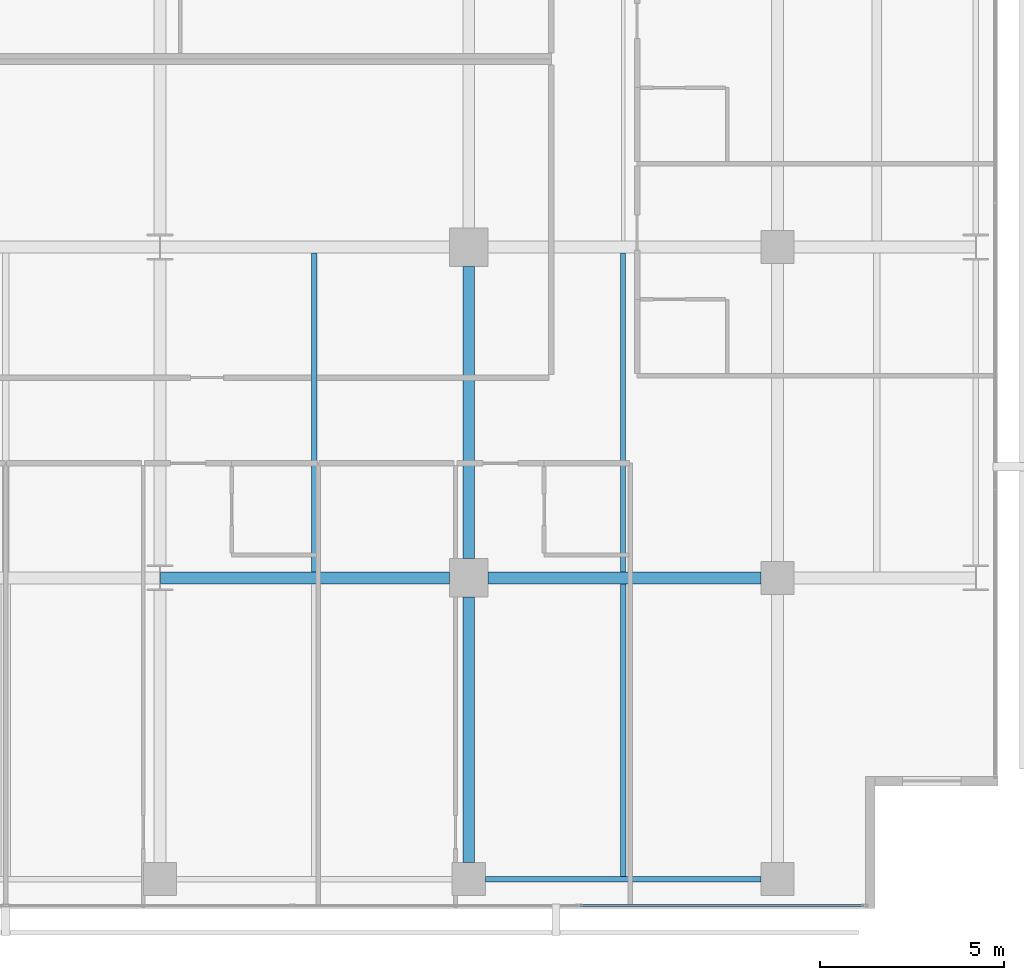
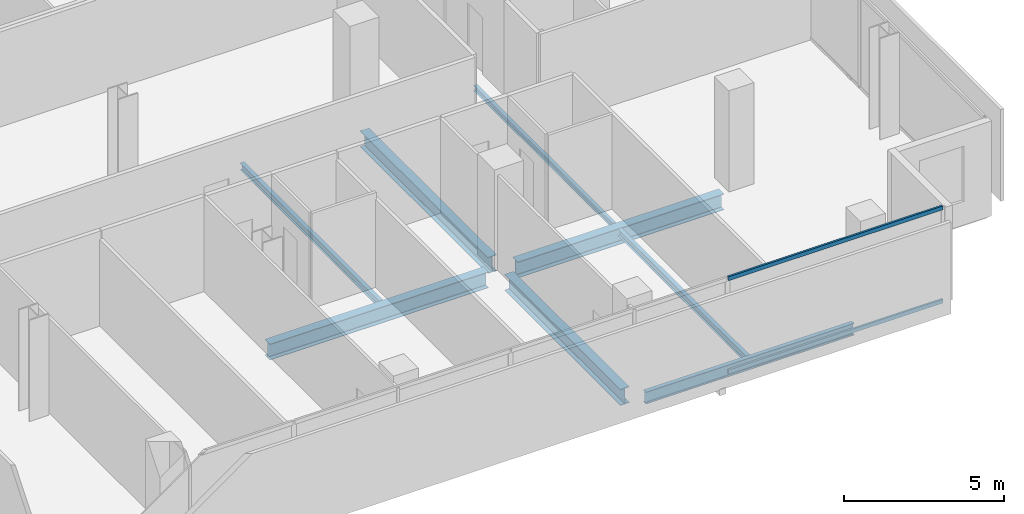
# One storey, part 15 of 40: 8 beams, 2 members, 1 element without a shape of its own.
"""IFC4 building model written with IfcOpenShell, lengths in metres."""

from ifc_helpers import new_model, si_unit, direction, frame, origin, origin_2d, place, context, subcontext, project, spatial, hollow_rectangle, i_section, extrude, material, layer, layer_set, material_profile, profile_set, type_object, element, aggregate, save


model = new_model("IFC4")

# Units and contexts
model_context = context("Model", 3, precision=1e-05, world=origin(), true_north=direction((0.0, 1.0)))
body_context = subcontext(model_context, "Body", "Model", "MODEL_VIEW")
ifc_project = project(units=[si_unit("LENGTHUNIT", "METRE"), si_unit("AREAUNIT", "SQUARE_METRE"), si_unit("VOLUMEUNIT", "CUBIC_METRE"), si_unit("PLANEANGLEUNIT", "RADIAN"), si_unit("MASSUNIT", "GRAM", prefix="KILO")], contexts=[model_context])

# Site, building, storey
site_placement = place(None, origin())
site = spatial("IfcSite", under=ifc_project, at=site_placement, CompositionType="ELEMENT")
building_placement = place(site_placement, origin())
building = spatial("IfcBuilding", under=site, at=building_placement, Name="Maruvema Waterfront Hotel and Observation Tower", CompositionType="ELEMENT")
storey_placement = place(building_placement, frame((0.0, 0.0, 88.550048828125)))
storey = spatial("IfcBuildingStorey", under=building, at=storey_placement, Name="L21", CompositionType="ELEMENT", Elevation=88.550048828125)

# Curtain wall, members
ifc_material_1 = material(Name="Anodised bronze aluminium and solar-control low-E IGU", Category="aluminium")
ifc_layer = layer(ifc_material_1, 0.159912109375, Name="Zone 1 Bronze Inner Thermal Curtain Wall System CW-02")
ifc_layer_set = layer_set([ifc_layer], Name="Anodised bronze aluminium and solar-control low-E IGU")
curtain_wall_type = type_object("IfcCurtainWallType", Name="Zone 1 Bronze Inner Thermal Curtain Wall System CW-02", PredefinedType="USERDEFINED", material=ifc_layer_set)
curtain_wall_placement = place(storey_placement, origin())
curtain_wall = element("IfcCurtainWall", 1, at=curtain_wall_placement, inside=storey, type_object=curtain_wall_type, Name="L21 Curtain Wall CW-L21-S", ObjectType="UNITISED CURTAIN WALL", PredefinedType="USERDEFINED")
ifc_material_2 = material(Name="Anodised architectural bronze aluminium", Category="aluminium")
ifc_material_profile_1 = material_profile(ifc_material_2, hollow_rectangle(XDim=0.070068359375, YDim=0.14990234375, WallThickness=0.00390625, at=origin_2d()), Name="ALU-T70x150")
ifc_profile_set_1 = profile_set([ifc_material_profile_1], Name="Anodised architectural bronze aluminium")
member_type = type_object("IfcMemberType", Name="Curtain Wall Horizontal Transom ALU-T70x150", PredefinedType="USERDEFINED", material=ifc_profile_set_1)
member_1_placement = place(storey_placement, frame((53.429931640625, 0.080078125, 0.030029296875), z_axis=(1.0, 0.0, 0.0), x_axis=(0.0, 1.0, 0.0)))
member_1 = element("IfcMember", 2, at=member_1_placement, type_object=member_type, Name="CW-02 transom 6.1", ObjectType="TRANSOM", PredefinedType="USERDEFINED", context=body_context, shape_type="SweptSolid", body=[
    extrude(hollow_rectangle(XDim=0.070068359375, YDim=0.14990234375, WallThickness=0.00390625, at=origin_2d()), origin(), (0.0, 0.0, 1.0), 7.7099609375),
])
member_2_placement = place(storey_placement, frame((53.429931640625, 0.080078125, 3.579833984375), z_axis=(1.0, 0.0, 0.0), x_axis=(0.0, 1.0, 0.0)))
member_2 = element("IfcMember", 3, at=member_2_placement, type_object=member_type, Name="CW-02 transom 6.2", ObjectType="TRANSOM", PredefinedType="USERDEFINED", context=body_context, shape_type="SweptSolid", body=[
    extrude(hollow_rectangle(XDim=0.070068359375, YDim=0.14990234375, WallThickness=0.00390625, at=origin_2d()), origin(), (0.0, 0.0, 1.0), 7.7099609375),
])
aggregate(curtain_wall, [member_1, member_2])

# Beams
ifc_material_3 = material(Name="Steel ASTM A572 Grade 50", Category="steel")
ifc_material_profile_2 = material_profile(ifc_material_3, i_section(OverallWidth=0.153076171875, OverallDepth=0.455078125, WebThickness=0.008056640625, FlangeThickness=0.01318359375, FilletRadius=0.014892578125, at=origin_2d()), Name="W460x60.0")
ifc_profile_set_2 = profile_set([ifc_material_profile_2], Name="Steel ASTM A572 Grade 50")
beam_type_1 = type_object("IfcBeamType", Name="Perimeter Spandrel Beam W460x60.0", PredefinedType="SPANDREL", material=ifc_profile_set_2)
beam_1_placement = place(storey_placement, frame((50.85009765625, 0.800048828125, -0.467529296875), z_axis=(1.0, 0.0, 0.0), x_axis=(0.0, 1.0, 0.0)))
element("IfcBeam", 4, at=beam_1_placement, inside=storey, type_object=beam_type_1, Name="L21 Floor Girder EW-05", PredefinedType="SPANDREL", context=body_context, shape_type="SweptSolid", body=[
    extrude(i_section(OverallWidth=0.153076171875, OverallDepth=0.455078125, WebThickness=0.008056640625, FlangeThickness=0.01318359375, FilletRadius=0.014892578125, at=origin_2d()), origin(), (0.0, 0.0, 1.0), 7.5),
])
ifc_material_4 = material(Name="Steel ASTM A572 Grade 50", Category="steel")
ifc_material_profile_3 = material_profile(ifc_material_4, i_section(OverallWidth=0.323974609375, OverallDepth=0.611083984375, WebThickness=0.0126953125, FlangeThickness=0.01904296875, FilletRadius=0.01806640625, at=origin_2d()), Name="W610x155.0")
ifc_profile_set_3 = profile_set([ifc_material_profile_3], Name="Steel ASTM A572 Grade 50")
beam_type_2 = type_object("IfcBeamType", Name="Primary Floor Girder W610x155.0", PredefinedType="BEAM", material=ifc_profile_set_3)
beam_2_placement = place(storey_placement, frame((42.013916015625, 9.0, -0.545654296875), z_axis=(1.0, 0.0, 0.0), x_axis=(0.0, 1.0, 0.0)))
element("IfcBeam", 5, at=beam_2_placement, inside=storey, type_object=beam_type_2, Name="L21 Floor Girder EW-10", PredefinedType="BEAM", context=body_context, shape_type="SweptSolid", body=[
    extrude(i_section(OverallWidth=0.323974609375, OverallDepth=0.611083984375, WebThickness=0.0126953125, FlangeThickness=0.01904296875, FilletRadius=0.01806640625, at=origin_2d()), origin(), (0.0, 0.0, 1.0), 7.861083984375),
])
beam_3_placement = place(storey_placement, frame((50.925048828125, 9.0, -0.545654296875), z_axis=(1.0, 0.0, 0.0), x_axis=(0.0, 1.0, 0.0)))
element("IfcBeam", 6, at=beam_3_placement, inside=storey, type_object=beam_type_2, Name="L21 Floor Girder EW-11", PredefinedType="BEAM", context=body_context, shape_type="SweptSolid", body=[
    extrude(i_section(OverallWidth=0.323974609375, OverallDepth=0.611083984375, WebThickness=0.0126953125, FlangeThickness=0.01904296875, FilletRadius=0.01806640625, at=origin_2d()), origin(), (0.0, 0.0, 1.0), 7.425048828125),
])
beam_4_placement = place(storey_placement, frame((50.39990234375, 1.25, -0.545654296875), z_axis=(0.0, 1.0, 0.0), x_axis=(-1.0, 0.0, 0.0)))
element("IfcBeam", 7, at=beam_4_placement, inside=storey, type_object=beam_type_2, Name="L21 Floor Girder NS-22", PredefinedType="BEAM", context=body_context, shape_type="SweptSolid", body=[
    extrude(i_section(OverallWidth=0.323974609375, OverallDepth=0.611083984375, WebThickness=0.0126953125, FlangeThickness=0.01904296875, FilletRadius=0.01806640625, at=origin_2d()), origin(), (0.0, 0.0, 1.0), 7.22509765625),
])
beam_5_placement = place(storey_placement, frame((50.39990234375, 9.52490234375, -0.545654296875), z_axis=(0.0, 1.0, 0.0), x_axis=(-1.0, 0.0, 0.0)))
element("IfcBeam", 8, at=beam_5_placement, inside=storey, type_object=beam_type_2, Name="L21 Floor Girder NS-23", PredefinedType="BEAM", context=body_context, shape_type="SweptSolid", body=[
    extrude(i_section(OverallWidth=0.323974609375, OverallDepth=0.611083984375, WebThickness=0.0126953125, FlangeThickness=0.01904296875, FilletRadius=0.01806640625, at=origin_2d()), origin(), (0.0, 0.0, 1.0), 7.9501953125),
])
ifc_material_5 = material(Name="Steel ASTM A572 Grade 50", Category="steel")
ifc_material_profile_4 = material_profile(ifc_material_5, i_section(OverallWidth=0.133056640625, OverallDepth=0.20703125, WebThickness=0.005859375, FlangeThickness=0.00830078125, FilletRadius=0.010009765625, at=origin_2d()), Name="W200x26.6")
ifc_profile_set_4 = profile_set([ifc_material_profile_4], Name="Steel ASTM A572 Grade 50")
beam_type_3 = type_object("IfcBeamType", Name="Secondary Floor Joist W200x26.6", PredefinedType="JOIST", material=ifc_profile_set_4)
beam_6_placement = place(storey_placement, frame((54.60009765625, 9.162109375, -0.343505859375), z_axis=(0.0, 1.0, 0.0), x_axis=(-1.0, 0.0, 0.0)))
element("IfcBeam", 9, at=beam_6_placement, inside=storey, type_object=beam_type_3, Name="L21 Secondary Floor Joist JS-17", PredefinedType="JOIST", context=body_context, shape_type="SweptSolid", body=[
    extrude(i_section(OverallWidth=0.133056640625, OverallDepth=0.20703125, WebThickness=0.005859375, FlangeThickness=0.00830078125, FilletRadius=0.010009765625, at=origin_2d()), origin(), (0.0, 0.0, 1.0), 8.67578125),
])
ifc_material_6 = material(Name="Steel ASTM A572 Grade 50", Category="steel")
ifc_material_profile_5 = material_profile(ifc_material_6, i_section(OverallWidth=0.14599609375, OverallDepth=0.258056640625, WebThickness=0.006103515625, FlangeThickness=0.009033203125, FilletRadius=0.012939453125, at=origin_2d()), Name="W250x32.7")
ifc_profile_set_5 = profile_set([ifc_material_profile_5], Name="Steel ASTM A572 Grade 50")
beam_type_4 = type_object("IfcBeamType", Name="Secondary Floor Joist W250x32.7", PredefinedType="JOIST", material=ifc_profile_set_5)
beam_7_placement = place(storey_placement, frame((54.60009765625, 0.87646484375, -0.369140625), z_axis=(0.0, 1.0, 0.0), x_axis=(-1.0, 0.0, 0.0)))
element("IfcBeam", 10, at=beam_7_placement, inside=storey, type_object=beam_type_4, Name="L21 Secondary Floor Joist JS-16", PredefinedType="JOIST", context=body_context, shape_type="SweptSolid", body=[
    extrude(i_section(OverallWidth=0.14599609375, OverallDepth=0.258056640625, WebThickness=0.006103515625, FlangeThickness=0.009033203125, FilletRadius=0.012939453125, at=origin_2d()), origin(), (0.0, 0.0, 1.0), 7.96142578125),
])
ifc_material_7 = material(Name="Steel ASTM A572 Grade 50", Category="steel")
ifc_material_profile_6 = material_profile(ifc_material_7, i_section(OverallWidth=0.14794921875, OverallDepth=0.26611328125, WebThickness=0.007568359375, FlangeThickness=0.012939453125, FilletRadius=0.012939453125, at=origin_2d()), Name="W250x44.8")
ifc_profile_set_6 = profile_set([ifc_material_profile_6], Name="Steel ASTM A572 Grade 50")
beam_type_5 = type_object("IfcBeamType", Name="Secondary Floor Joist W250x44.8", PredefinedType="JOIST", material=ifc_profile_set_6)
beam_8_placement = place(storey_placement, frame((46.199951171875, 9.162109375, -0.373046875), z_axis=(0.0, 1.0, 0.0), x_axis=(-1.0, 0.0, 0.0)))
element("IfcBeam", 11, at=beam_8_placement, inside=storey, type_object=beam_type_5, Name="L21 Secondary Floor Joist JS-15", PredefinedType="JOIST", context=body_context, shape_type="SweptSolid", body=[
    extrude(i_section(OverallWidth=0.14794921875, OverallDepth=0.26611328125, WebThickness=0.007568359375, FlangeThickness=0.012939453125, FilletRadius=0.012939453125, at=origin_2d()), origin(), (0.0, 0.0, 1.0), 8.67578125),
])

save(model, "model.ifc")
